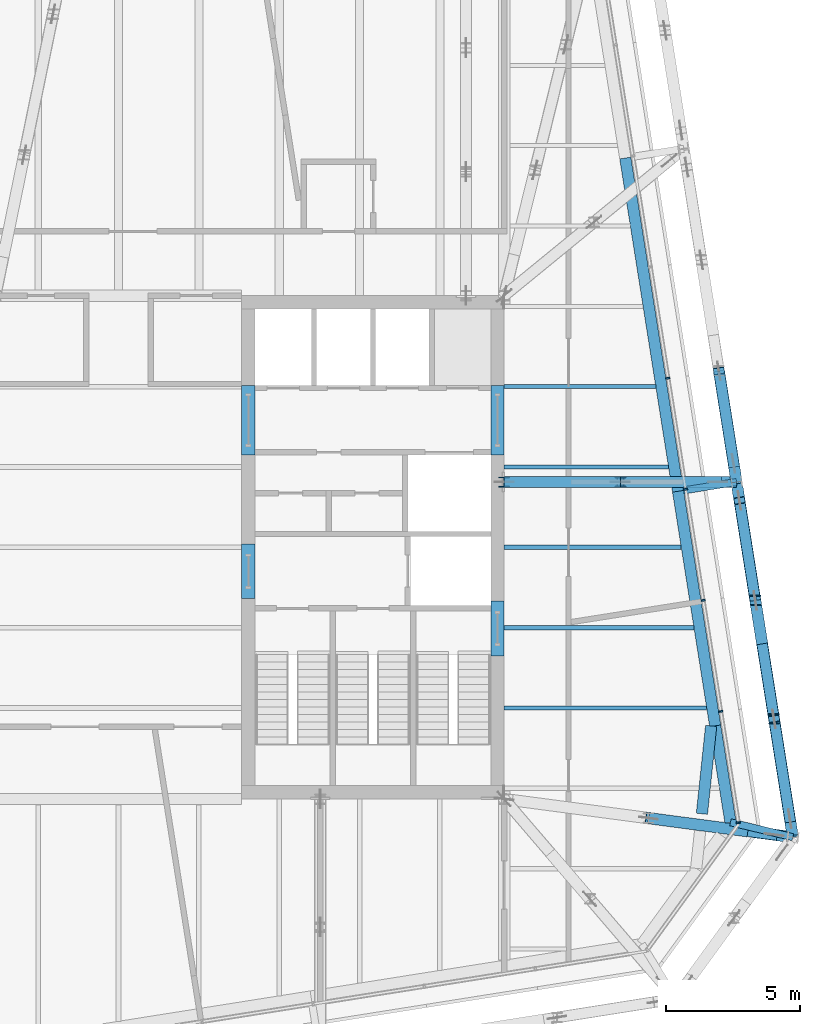
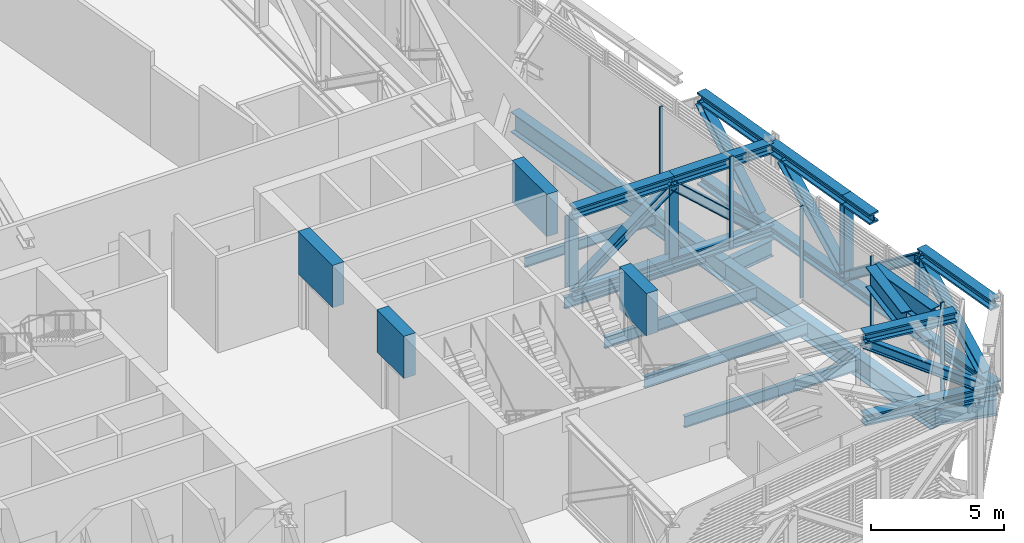
# One storey, part 10 of 32: 29 beams, 16 members, 1 element without a shape of its own.
"""IFC4 building model written with IfcOpenShell, lengths in metres."""

from ifc_helpers import new_model, si_unit, direction, frame, origin, origin_2d, place, context, subcontext, project, spatial, rectangle, i_section, extrude, material, layer, layer_set, material_profile, profile_set, type_object, element, aggregate, save


model = new_model("IFC4")

# Units and contexts
model_context = context("Model", 3, precision=1e-05, world=origin(), true_north=direction((0.0, 1.0)))
body_context = subcontext(model_context, "Body", "Model", "MODEL_VIEW")
ifc_project = project(units=[si_unit("LENGTHUNIT", "METRE"), si_unit("AREAUNIT", "SQUARE_METRE"), si_unit("VOLUMEUNIT", "CUBIC_METRE"), si_unit("PLANEANGLEUNIT", "RADIAN"), si_unit("MASSUNIT", "GRAM", prefix="KILO")], contexts=[model_context])

# Site, building, storey
site_placement = place(None, origin())
site = spatial("IfcSite", under=ifc_project, at=site_placement, CompositionType="ELEMENT")
building_placement = place(site_placement, origin())
building = spatial("IfcBuilding", under=site, at=building_placement, Name="Millrace Tower", CompositionType="ELEMENT")
storey_placement = place(building_placement, frame((0.0, 0.0, 266.89990234375)))
storey = spatial("IfcBuildingStorey", under=building, at=storey_placement, Name="L61", CompositionType="ELEMENT", Elevation=266.89990234375)

# Beams
ifc_material_1 = material(Name="Steel ASTM A992 Grade 50", Category="steel")
ifc_material_profile_1 = material_profile(ifc_material_1, i_section(OverallWidth=0.424072265625, OverallDepth=0.47509765625, WebThickness=0.0478515625, FlangeThickness=0.0771484375, FilletRadius=0.014892578125, at=origin_2d()))
ifc_profile_set_1 = profile_set([ifc_material_profile_1], Name="Steel ASTM A992 Grade 50")
beam_type_1 = type_object("IfcBeamType", Name="Belt truss chord W14x426", PredefinedType="BEAM", material=ifc_profile_set_1)
beam_1_placement = place(storey_placement, frame((25.178466796875, -10.82470703125, 0.237548828125), z_axis=(-0.156424684061, 0.9876898897, 0.0), x_axis=(-0.9876898897, -0.156424684061, 0.0)))
element("IfcBeam", 1, at=beam_1_placement, inside=storey, type_object=beam_type_1, Name="BLT-L61-R06-B01", PredefinedType="BEAM", context=body_context, shape_type="SweptSolid", body=[
    extrude(i_section(OverallWidth=0.424072265625, OverallDepth=0.47509765625, WebThickness=0.0478515625, FlangeThickness=0.0771484375, FilletRadius=0.014892578125, at=origin_2d()), origin(), (0.0, 0.0, 1.0), 4.476318359375),
])
beam_2_placement = place(storey_placement, frame((24.478271484375, -6.403564453125, 0.237548828125), z_axis=(-0.156433111103, 0.987688555037, 0.0), x_axis=(-0.987688555037, -0.156433111103, 0.0)))
element("IfcBeam", 2, at=beam_2_placement, inside=storey, type_object=beam_type_1, Name="BLT-L61-R06-B02", PredefinedType="BEAM", context=body_context, shape_type="SweptSolid", body=[
    extrude(i_section(OverallWidth=0.424072265625, OverallDepth=0.47509765625, WebThickness=0.0478515625, FlangeThickness=0.0771484375, FilletRadius=0.014892578125, at=origin_2d()), origin(), (0.0, 0.0, 1.0), 4.47607421875),
])
beam_3_placement = place(storey_placement, frame((23.778076171875, -1.982666015625, 0.237548828125), z_axis=(-0.156477890206, 0.987681461746, 0.0), x_axis=(-0.987681461746, -0.156477890206, 0.0)))
element("IfcBeam", 3, at=beam_3_placement, inside=storey, type_object=beam_type_1, Name="BLT-L61-R06-B03", PredefinedType="BEAM", context=body_context, shape_type="SweptSolid", body=[
    extrude(i_section(OverallWidth=0.424072265625, OverallDepth=0.47509765625, WebThickness=0.0478515625, FlangeThickness=0.0771484375, FilletRadius=0.014892578125, at=origin_2d()), origin(), (0.0, 0.0, 1.0), 4.476318359375),
])
for number, where, z_axis, x_axis, name in (
    (4, (23.07763671875, 2.4384765625, 0.237548828125), (-0.156428225752, 0.987689328781, 0.0), (-0.987689328781, -0.156428225752, 0.0), "BLT-L61-R07-B01"),
    (5, (23.07763671875, 2.4384765625, 4.002685546875), (-0.156428225752, 0.987689328781, 0.0), (-0.987689328781, -0.156428225752, 0.0), "BLT-L61-R07-T01"),
):
    element("IfcBeam", number, at=place(storey_placement, frame(where, z_axis=z_axis, x_axis=x_axis)), inside=storey, type_object=beam_type_1, Name=name, PredefinedType="BEAM", context=body_context, shape_type="SweptSolid", body=[
        extrude(i_section(OverallWidth=0.424072265625, OverallDepth=0.47509765625, WebThickness=0.0478515625, FlangeThickness=0.0771484375, FilletRadius=0.014892578125, at=origin_2d()), origin(), (0.0, 0.0, 1.0), 4.199951171875),
    ])
beam_4_placement = place(storey_placement, frame((25.168212890625, -10.760009765625, 4.002685546875), z_axis=(-0.156423020229, 0.987690153207, 0.0), x_axis=(-0.987690153207, -0.156423020229, 0.0)))
element("IfcBeam", 6, at=beam_4_placement, inside=storey, type_object=beam_type_1, Name="BLT-L61-R06-T01", PredefinedType="BEAM", context=body_context, shape_type="SweptSolid", body=[
    extrude(i_section(OverallWidth=0.424072265625, OverallDepth=0.47509765625, WebThickness=0.0478515625, FlangeThickness=0.0771484375, FilletRadius=0.014892578125, at=origin_2d()), origin(), (0.0, 0.0, 1.0), 4.41064453125),
])
beam_5_placement = place(storey_placement, frame((23.778076171875, -1.982666015625, 4.002685546875), z_axis=(-0.156477016568, 0.987681600156, 0.0), x_axis=(-0.987681600156, -0.156477016568, 0.0)))
element("IfcBeam", 7, at=beam_5_placement, inside=storey, type_object=beam_type_1, Name="BLT-L61-R06-T03", PredefinedType="BEAM", context=body_context, shape_type="SweptSolid", body=[
    extrude(i_section(OverallWidth=0.424072265625, OverallDepth=0.47509765625, WebThickness=0.0478515625, FlangeThickness=0.0771484375, FilletRadius=0.014892578125, at=origin_2d()), origin(), (0.0, 0.0, 1.0), 4.410888671875),
])
beam_6_placement = place(storey_placement, frame((24.034912109375, -3.604736328125, 4.002685546875), z_axis=(-0.156390056091, 0.987695373258, 0.0), x_axis=(-0.987695373258, -0.156390056091, 0.0)))
element("IfcBeam", 8, at=beam_6_placement, inside=storey, type_object=beam_type_1, Name="BLT-L61-R06-T02-b", PredefinedType="BEAM", context=body_context, shape_type="SweptSolid", body=[
    extrude(i_section(OverallWidth=0.424072265625, OverallDepth=0.47509765625, WebThickness=0.0478515625, FlangeThickness=0.0771484375, FilletRadius=0.014892578125, at=origin_2d()), origin(), (0.0, 0.0, 1.0), 1.642333984375),
])

# Members
ifc_material_2 = material(Name="Steel ASTM A992 Grade 50", Category="steel")
ifc_material_profile_2 = material_profile(ifc_material_2, i_section(OverallWidth=0.398681640625, OverallDepth=0.385986328125, WebThickness=0.02099609375, FlangeThickness=0.033203125, FilletRadius=0.01513671875, at=origin_2d()))
ifc_profile_set_2 = profile_set([ifc_material_profile_2], Name="Steel ASTM A992 Grade 50")
member_type_1 = type_object("IfcMemberType", Name="Belt truss diagonal W14x176", PredefinedType="BRACE", material=ifc_profile_set_2)
member_1_placement = place(storey_placement, frame((25.06884765625, -10.13330078125, 0.47509765625), z_axis=(-0.117917134143, 0.744696179539, 0.6569042165), x_axis=(-0.987694723912, -0.156394157043, 0.0)))
element("IfcMember", 9, at=member_1_placement, inside=storey, type_object=member_type_1, Name="BLT-L61-R06-D01", PredefinedType="BRACE", context=body_context, shape_type="SweptSolid", body=[
    extrude(i_section(OverallWidth=0.398681640625, OverallDepth=0.385986328125, WebThickness=0.02099609375, FlangeThickness=0.033203125, FilletRadius=0.01513671875, at=origin_2d()), origin(), (0.0, 0.0, 1.0), 5.00830078125),
])
member_2_placement = place(storey_placement, frame((23.778076171875, -1.982666015625, 0.47509765625), z_axis=(0.126045823865, -0.795829072017, 0.59225715565), x_axis=(0.987688555037, 0.156433111103, 0.0)))
element("IfcMember", 10, at=member_2_placement, inside=storey, type_object=member_type_1, Name="BLT-L61-R06-D02", PredefinedType="BRACE", context=body_context, shape_type="SweptSolid", body=[
    extrude(i_section(OverallWidth=0.398681640625, OverallDepth=0.385986328125, WebThickness=0.02099609375, FlangeThickness=0.033203125, FilletRadius=0.01513671875, at=origin_2d()), origin(), (0.0, 0.0, 1.0), 5.55517578125),
])
member_3_placement = place(storey_placement, frame((23.778076171875, -1.982666015625, 0.47509765625), z_axis=(-0.117965202171, 0.744691898166, 0.656900439856), x_axis=(-0.987684735163, -0.156457227145, 0.0)))
element("IfcMember", 11, at=member_3_placement, inside=storey, type_object=member_type_1, Name="BLT-L61-R06-D03", PredefinedType="BRACE", context=body_context, shape_type="SweptSolid", body=[
    extrude(i_section(OverallWidth=0.398681640625, OverallDepth=0.385986328125, WebThickness=0.02099609375, FlangeThickness=0.033203125, FilletRadius=0.01513671875, at=origin_2d()), origin(), (0.0, 0.0, 1.0), 5.008544921875),
])
member_4_placement = place(storey_placement, frame((22.96826171875, 3.1298828125, 0.47509765625), z_axis=(-0.114001763677, 0.719639309811, 0.684925442405), x_axis=(-0.987683654859, -0.156464046744, 0.0)))
element("IfcMember", 12, at=member_4_placement, inside=storey, type_object=member_type_1, Name="BLT-L61-R07-D01", PredefinedType="BRACE", context=body_context, shape_type="SweptSolid", body=[
    extrude(i_section(OverallWidth=0.398681640625, OverallDepth=0.385986328125, WebThickness=0.02099609375, FlangeThickness=0.033203125, FilletRadius=0.01513671875, at=origin_2d()), origin(), (0.0, 0.0, 1.0), 4.803466796875),
])
ifc_material_3 = material(Name="Steel ASTM A992 Grade 50", Category="steel")
ifc_material_profile_3 = material_profile(ifc_material_3, i_section(OverallWidth=0.393798828125, OverallDepth=0.3759765625, WebThickness=0.017333984375, FlangeThickness=0.027587890625, FilletRadius=0.01513671875, at=origin_2d()))
ifc_profile_set_3 = profile_set([ifc_material_profile_3], Name="Steel ASTM A992 Grade 50")
member_type_2 = type_object("IfcMemberType", Name="Belt truss post W14x145", PredefinedType="POST", material=ifc_profile_set_3)
for number, where, z_axis, x_axis, name in (
    (13, (24.478271484375, -6.403564453125, 0.47509765625), (0.0, 0.0, 1.0), (1.0, 0.0, 0.0), "BLT-L61-R06-V01"),
    (14, (23.778076171875, -1.982666015625, 0.47509765625), (0.0, 0.0, 1.0), (1.0, 0.0, 0.0), "BLT-L61-R06-V02"),
):
    element("IfcMember", number, at=place(storey_placement, frame(where, z_axis=z_axis, x_axis=x_axis)), inside=storey, type_object=member_type_2, Name=name, PredefinedType="POST", context=body_context, shape_type="SweptSolid", body=[
        extrude(i_section(OverallWidth=0.393798828125, OverallDepth=0.3759765625, WebThickness=0.017333984375, FlangeThickness=0.027587890625, FilletRadius=0.01513671875, at=origin_2d()), origin(), (0.0, 0.0, 1.0), 3.2900390625),
    ])

# Curtain wall, members
ifc_material_4 = material(Name="Aluminium and glass", Category="aluminium")
ifc_layer = layer(ifc_material_4, 0.14990234375)
ifc_layer_set = layer_set([ifc_layer], Name="Aluminium and glass")
curtain_wall_type = type_object("IfcCurtainWallType", Name="CW-5 truss and plant storey louvred infill", PredefinedType="NOTDEFINED", material=ifc_layer_set)
curtain_wall_placement = place(storey_placement, origin())
curtain_wall = element("IfcCurtainWall", 15, at=curtain_wall_placement, inside=storey, type_object=curtain_wall_type, Name="Curtain wall D-F04 L61", PredefinedType="NOTDEFINED")
ifc_material_5 = material(Name="Aluminium", Category="aluminium")
ifc_material_profile_4 = material_profile(ifc_material_5, rectangle(XDim=0.06494140625, YDim=0.14990234375, at=origin_2d()))
ifc_profile_set_4 = profile_set([ifc_material_profile_4], Name="Aluminium")
member_type_3 = type_object("IfcMemberType", Name="CW-5 truss and plant storey louvred infill mullion", PredefinedType="MULLION", material=ifc_profile_set_4)
member_5_placement = place(storey_placement, frame((23.142333984375, -10.275390625, 0.14013671875), z_axis=(0.0, 0.0, 1.0), x_axis=(-0.156434471884, 0.987688339511, 0.0)))
member_5 = element("IfcMember", 16, at=member_5_placement, type_object=member_type_3, Name="CW5 mullion D-F04.1", PredefinedType="MULLION", context=body_context, shape_type="SweptSolid", body=[
    extrude(rectangle(XDim=0.06494140625, YDim=0.14990234375, at=origin_2d()), origin(), (0.0, 0.0, 1.0), 4.35986328125),
])
member_6_placement = place(storey_placement, frame((22.4853515625, -6.127197265625, 0.14013671875), z_axis=(0.0, 0.0, 1.0), x_axis=(-0.156434471884, 0.987688339511, 0.0)))
member_6 = element("IfcMember", 17, at=member_6_placement, type_object=member_type_3, Name="CW5 mullion D-F04.2", PredefinedType="MULLION", context=body_context, shape_type="SweptSolid", body=[
    extrude(rectangle(XDim=0.06494140625, YDim=0.14990234375, at=origin_2d()), origin(), (0.0, 0.0, 1.0), 4.199951171875),
])
member_7_placement = place(storey_placement, frame((21.828369140625, -1.97900390625, 0.14013671875), z_axis=(0.0, 0.0, 1.0), x_axis=(-0.156434471884, 0.987688339511, 0.0)))
member_7 = element("IfcMember", 18, at=member_7_placement, type_object=member_type_3, Name="CW5 mullion D-F04.3", PredefinedType="MULLION", context=body_context, shape_type="SweptSolid", body=[
    extrude(rectangle(XDim=0.06494140625, YDim=0.14990234375, at=origin_2d()), origin(), (0.0, 0.0, 1.0), 4.199951171875),
])
member_8_placement = place(storey_placement, frame((21.17138671875, 2.16943359375, 0.14013671875), z_axis=(0.0, 0.0, 1.0), x_axis=(-0.156434471884, 0.987688339511, 0.0)))
member_8 = element("IfcMember", 19, at=member_8_placement, type_object=member_type_3, Name="CW5 mullion D-F04.4", PredefinedType="MULLION", context=body_context, shape_type="SweptSolid", body=[
    extrude(rectangle(XDim=0.06494140625, YDim=0.14990234375, at=origin_2d()), origin(), (0.0, 0.0, 1.0), 4.199951171875),
])
member_9_placement = place(storey_placement, frame((20.514404296875, 6.317626953125, 0.14013671875), z_axis=(0.0, 0.0, 1.0), x_axis=(-0.156434471884, 0.987688339511, 0.0)))
member_9 = element("IfcMember", 20, at=member_9_placement, type_object=member_type_3, Name="CW5 mullion D-F04.5", PredefinedType="MULLION", context=body_context, shape_type="SweptSolid", body=[
    extrude(rectangle(XDim=0.06494140625, YDim=0.14990234375, at=origin_2d()), origin(), (0.0, 0.0, 1.0), 4.199951171875),
])
aggregate(curtain_wall, [member_5, member_6, member_7, member_8, member_9])

# Beams
ifc_material_6 = material(Name="Concrete C60", Category="concrete")
ifc_material_profile_5 = material_profile(ifc_material_6, rectangle(XDim=0.5, YDim=1.93994140625, at=origin_2d()))
ifc_profile_set_5 = profile_set([ifc_material_profile_5], Name="Concrete C60")
beam_type_2 = type_object("IfcBeamType", Name="Coupling beam 500 x 1940 Concrete C60, 1300 opening", PredefinedType="BEAM", material=ifc_profile_set_5)
beam_7_placement = place(storey_placement, frame((14.14990234375, -2.011474609375, 3.3701171875), z_axis=(0.0, -1.0, 0.0), x_axis=(1.0, 0.0, 0.0)))
element("IfcBeam", 21, at=beam_7_placement, inside=storey, type_object=beam_type_2, Name="Coupling beam E L61", PredefinedType="BEAM", context=body_context, shape_type="SweptSolid", body=[
    extrude(rectangle(XDim=0.5, YDim=1.93994140625, at=origin_2d()), origin(), (0.0, 0.0, 1.0), 2.037109375),
])
beam_8_placement = place(storey_placement, frame((4.85009765625, 0.118408203125, 3.3701171875), z_axis=(0.0, -1.0, 0.0), x_axis=(1.0, 0.0, 0.0)))
element("IfcBeam", 22, at=beam_8_placement, inside=storey, type_object=beam_type_2, Name="Coupling beam E L61", PredefinedType="BEAM", context=body_context, shape_type="SweptSolid", body=[
    extrude(rectangle(XDim=0.5, YDim=1.93994140625, at=origin_2d()), origin(), (0.0, 0.0, 1.0), 2.036865234375),
])
ifc_material_7 = material(Name="Concrete C60", Category="concrete")
ifc_material_profile_6 = material_profile(ifc_material_7, rectangle(XDim=0.5, YDim=1.93994140625, at=origin_2d()))
ifc_profile_set_6 = profile_set([ifc_material_profile_6], Name="Concrete C60")
beam_type_3 = type_object("IfcBeamType", Name="Coupling beam 500 x 1940 Concrete C60, 2000 opening", PredefinedType="BEAM", material=ifc_profile_set_6)
for number, where, z_axis, x_axis, name in (
    (23, (14.14990234375, 6.050048828125, 3.3701171875), (0.0, -1.0, 0.0), (1.0, 0.0, 0.0), "Coupling beam E L61"),
    (24, (4.85009765625, 6.050048828125, 3.3701171875), (0.0, -1.0, 0.0), (1.0, 0.0, 0.0), "Coupling beam E L61"),
):
    element("IfcBeam", number, at=place(storey_placement, frame(where, z_axis=z_axis, x_axis=x_axis)), inside=storey, type_object=beam_type_3, Name=name, PredefinedType="BEAM", context=body_context, shape_type="SweptSolid", body=[
        extrude(rectangle(XDim=0.5, YDim=1.93994140625, at=origin_2d()), origin(), (0.0, 0.0, 1.0), 2.60009765625),
    ])
ifc_material_8 = material(Name="Steel ASTM A992 Grade 50", Category="steel")
ifc_material_profile_7 = material_profile(ifc_material_8, i_section(OverallWidth=0.15234375, OverallDepth=0.449462890625, WebThickness=0.007568359375, FlangeThickness=0.0107421875, FilletRadius=0.01025390625, at=origin_2d()))
ifc_profile_set_7 = profile_set([ifc_material_profile_7], Name="Steel ASTM A992 Grade 50")
beam_type_4 = type_object("IfcBeamType", Name="Floor beam W18x35", PredefinedType="JOIST", material=ifc_profile_set_7)
beam_9_placement = place(storey_placement, frame((14.39990234375, 6.0, -0.474609375), z_axis=(1.0, 0.0, 0.0), x_axis=(0.0, 1.0, 0.0)))
element("IfcBeam", 25, at=beam_9_placement, inside=storey, type_object=beam_type_4, Name="BM-D-L61-S1-S022", PredefinedType="JOIST", context=body_context, shape_type="SweptSolid", body=[
    extrude(i_section(OverallWidth=0.15234375, OverallDepth=0.449462890625, WebThickness=0.007568359375, FlangeThickness=0.0107421875, FilletRadius=0.01025390625, at=origin_2d()), origin(), (0.0, 0.0, 1.0), 5.661865234375),
])
ifc_material_9 = material(Name="Steel ASTM A992 Grade 50", Category="steel")
ifc_material_profile_8 = material_profile(ifc_material_9, i_section(OverallWidth=0.1650390625, OverallDepth=0.52587890625, WebThickness=0.0087890625, FlangeThickness=0.011474609375, FilletRadius=0.0126953125, at=origin_2d()))
ifc_profile_set_8 = profile_set([ifc_material_profile_8], Name="Steel ASTM A992 Grade 50")
beam_type_5 = type_object("IfcBeamType", Name="Floor beam W21x44", PredefinedType="JOIST", material=ifc_profile_set_8)
beam_10_placement = place(storey_placement, frame((14.39990234375, -6.0, -0.5126953125), z_axis=(1.0, 0.0, 0.0), x_axis=(0.0, 1.0, 0.0)))
element("IfcBeam", 26, at=beam_10_placement, inside=storey, type_object=beam_type_5, Name="BM-D-L61-S1-S010", PredefinedType="JOIST", context=body_context, shape_type="SweptSolid", body=[
    extrude(i_section(OverallWidth=0.1650390625, OverallDepth=0.52587890625, WebThickness=0.0087890625, FlangeThickness=0.011474609375, FilletRadius=0.0126953125, at=origin_2d()), origin(), (0.0, 0.0, 1.0), 7.5625),
])
beam_11_placement = place(storey_placement, frame((14.39990234375, -3.0, -0.5126953125), z_axis=(1.0, 0.0, 0.0), x_axis=(0.0, 1.0, 0.0)))
element("IfcBeam", 27, at=beam_11_placement, inside=storey, type_object=beam_type_5, Name="BM-D-L61-S1-S013", PredefinedType="JOIST", context=body_context, shape_type="SweptSolid", body=[
    extrude(i_section(OverallWidth=0.1650390625, OverallDepth=0.52587890625, WebThickness=0.0087890625, FlangeThickness=0.011474609375, FilletRadius=0.0126953125, at=origin_2d()), origin(), (0.0, 0.0, 1.0), 7.08740234375),
])
beam_12_placement = place(storey_placement, frame((14.39990234375, 0.0, -0.5126953125), z_axis=(1.0, 0.0, 0.0), x_axis=(0.0, 1.0, 0.0)))
element("IfcBeam", 28, at=beam_12_placement, inside=storey, type_object=beam_type_5, Name="BM-D-L61-S1-S016", PredefinedType="JOIST", context=body_context, shape_type="SweptSolid", body=[
    extrude(i_section(OverallWidth=0.1650390625, OverallDepth=0.52587890625, WebThickness=0.0087890625, FlangeThickness=0.011474609375, FilletRadius=0.0126953125, at=origin_2d()), origin(), (0.0, 0.0, 1.0), 6.6123046875),
])
beam_13_placement = place(storey_placement, frame((14.39990234375, 3.0, -0.5126953125), z_axis=(1.0, 0.0, 0.0), x_axis=(0.0, 1.0, 0.0)))
element("IfcBeam", 29, at=beam_13_placement, inside=storey, type_object=beam_type_5, Name="BM-D-L61-S1-S019", PredefinedType="JOIST", context=body_context, shape_type="SweptSolid", body=[
    extrude(i_section(OverallWidth=0.1650390625, OverallDepth=0.52587890625, WebThickness=0.0087890625, FlangeThickness=0.011474609375, FilletRadius=0.0126953125, at=origin_2d()), origin(), (0.0, 0.0, 1.0), 6.136962890625),
])
ifc_material_10 = material(Name="Steel ASTM A992 Grade 50", Category="steel")
ifc_material_profile_9 = material_profile(ifc_material_10, i_section(OverallWidth=0.2666015625, OverallDepth=0.7568359375, WebThickness=0.013916015625, FlangeThickness=0.019287109375, FilletRadius=0.0166015625, at=origin_2d()))
ifc_profile_set_9 = profile_set([ifc_material_profile_9], Name="Steel ASTM A992 Grade 50")
beam_type_6 = type_object("IfcBeamType", Name="Link beam W30x108", PredefinedType="BEAM", material=ifc_profile_set_9)
beam_14_placement = place(storey_placement, frame((21.102294921875, 2.12548828125, -0.62841796875), z_axis=(0.987678691416, 0.156495375404, 0.0), x_axis=(-0.156495375404, 0.987678691416, 0.0)))
element("IfcBeam", 30, at=beam_14_placement, inside=storey, type_object=beam_type_6, Name="LNK-D-L61-S1-11", PredefinedType="BEAM", context=body_context, shape_type="SweptSolid", body=[
    extrude(i_section(OverallWidth=0.2666015625, OverallDepth=0.7568359375, WebThickness=0.013916015625, FlangeThickness=0.019287109375, FilletRadius=0.0166015625, at=origin_2d()), origin(), (0.0, 0.0, 1.0), 2.0),
])
beam_15_placement = place(storey_placement, frame((22.8515625, -10.26611328125, -0.62841796875), z_axis=(0.97237433547, -0.233426972989, 0.0), x_axis=(0.233426972989, 0.97237433547, 0.0)))
element("IfcBeam", 31, at=beam_15_placement, inside=storey, type_object=beam_type_6, Name="LNK-D-L61-S1-12", PredefinedType="BEAM", context=body_context, shape_type="SweptSolid", body=[
    extrude(i_section(OverallWidth=0.2666015625, OverallDepth=0.7568359375, WebThickness=0.013916015625, FlangeThickness=0.019287109375, FilletRadius=0.0166015625, at=origin_2d()), origin(), (0.0, 0.0, 1.0), 2.39306640625),
])
ifc_material_11 = material(Name="Steel ASTM A992 Grade 50", Category="steel")
ifc_material_profile_10 = material_profile(ifc_material_11, i_section(OverallWidth=0.424072265625, OverallDepth=0.47509765625, WebThickness=0.0478515625, FlangeThickness=0.0771484375, FilletRadius=0.014892578125, at=origin_2d()))
ifc_profile_set_10 = profile_set([ifc_material_profile_10], Name="Steel ASTM A992 Grade 50")
beam_type_7 = type_object("IfcBeamType", Name="Outrigger truss chord W14x426", PredefinedType="BEAM", material=ifc_profile_set_10)
beam_16_placement = place(storey_placement, frame((19.789306640625, -10.1123046875, 0.237548828125), z_axis=(0.991375543589, -0.131051637048, 0.0), x_axis=(0.131051637048, 0.991375543589, 0.0)))
element("IfcBeam", 32, at=beam_16_placement, inside=storey, type_object=beam_type_7, Name="BLT-L61-O06-B02", PredefinedType="BEAM", context=body_context, shape_type="SweptSolid", body=[
    extrude(i_section(OverallWidth=0.424072265625, OverallDepth=0.47509765625, WebThickness=0.0478515625, FlangeThickness=0.0771484375, FilletRadius=0.014892578125, at=origin_2d()), origin(), (0.0, 0.0, 1.0), 5.43603515625),
])
for number, where, z_axis, x_axis, name in (
    (33, (14.39990234375, 2.4384765625, 0.237548828125), (1.0, 0.0, 0.0), (0.0, 1.0, 0.0), "BLT-L61-O07-B01"),
    (34, (14.39990234375, 2.4384765625, 4.002685546875), (1.0, 0.0, 0.0), (0.0, 1.0, 0.0), "BLT-L61-O07-T01"),
    (35, (18.73876953125, 2.4384765625, 0.237548828125), (1.0, 0.0, 0.0), (0.0, 1.0, 0.0), "BLT-L61-O07-B02"),
    (36, (18.73876953125, 2.4384765625, 4.002685546875), (1.0, 0.0, 0.0), (0.0, 1.0, 0.0), "BLT-L61-O07-T02"),
):
    element("IfcBeam", number, at=place(storey_placement, frame(where, z_axis=z_axis, x_axis=x_axis)), inside=storey, type_object=beam_type_7, Name=name, PredefinedType="BEAM", context=body_context, shape_type="SweptSolid", body=[
        extrude(i_section(OverallWidth=0.424072265625, OverallDepth=0.47509765625, WebThickness=0.0478515625, FlangeThickness=0.0771484375, FilletRadius=0.014892578125, at=origin_2d()), origin(), (0.0, 0.0, 1.0), 4.3388671875),
    ])
beam_17_placement = place(storey_placement, frame((19.789306640625, -10.1123046875, 4.002685546875), z_axis=(0.991378839253, -0.131026703694, 0.0), x_axis=(0.131026703694, 0.991378839253, 0.0)))
element("IfcBeam", 37, at=beam_17_placement, inside=storey, type_object=beam_type_7, Name="BLT-L61-O06-T02", PredefinedType="BEAM", context=body_context, shape_type="SweptSolid", body=[
    extrude(i_section(OverallWidth=0.424072265625, OverallDepth=0.47509765625, WebThickness=0.0478515625, FlangeThickness=0.0771484375, FilletRadius=0.014892578125, at=origin_2d()), origin(), (0.0, 0.0, 1.0), 3.741455078125),
])

# Members
ifc_material_12 = material(Name="Steel ASTM A992 Grade 50", Category="steel")
ifc_material_profile_11 = material_profile(ifc_material_12, i_section(OverallWidth=0.398681640625, OverallDepth=0.385986328125, WebThickness=0.02099609375, FlangeThickness=0.033203125, FilletRadius=0.01513671875, at=origin_2d()))
ifc_profile_set_11 = profile_set([ifc_material_profile_11], Name="Steel ASTM A992 Grade 50")
member_type_4 = type_object("IfcMemberType", Name="Outrigger truss diagonal W14x176", PredefinedType="BRACE", material=ifc_profile_set_11)
member_10_placement = place(storey_placement, frame((24.484375, -10.73291015625, 0.47509765625), z_axis=(-0.814189243408, 0.107621499493, 0.570537894242), x_axis=(-0.131042570758, -0.991376742036, 0.0)))
element("IfcMember", 38, at=member_10_placement, inside=storey, type_object=member_type_4, Name="BLT-L61-O06-D02", PredefinedType="BRACE", context=body_context, shape_type="SweptSolid", body=[
    extrude(i_section(OverallWidth=0.398681640625, OverallDepth=0.385986328125, WebThickness=0.02099609375, FlangeThickness=0.033203125, FilletRadius=0.01513671875, at=origin_2d()), origin(), (0.0, 0.0, 1.0), 5.7666015625),
])
member_11_placement = place(storey_placement, frame((14.39990234375, 2.4384765625, 0.47509765625), z_axis=(0.79682525172, 0.0, 0.60420982963), x_axis=(0.0, 1.0, 0.0)))
element("IfcMember", 39, at=member_11_placement, inside=storey, type_object=member_type_4, Name="BLT-L61-O07-D01", PredefinedType="BRACE", context=body_context, shape_type="SweptSolid", body=[
    extrude(i_section(OverallWidth=0.398681640625, OverallDepth=0.385986328125, WebThickness=0.02099609375, FlangeThickness=0.033203125, FilletRadius=0.01513671875, at=origin_2d()), origin(), (0.0, 0.0, 1.0), 5.4453125),
])
member_12_placement = place(storey_placement, frame((22.377685546875, 2.4384765625, 0.47509765625), z_axis=(-0.741770356359, 0.0, 0.670653963253), x_axis=(0.0, -1.0, 0.0)))
element("IfcMember", 40, at=member_12_placement, inside=storey, type_object=member_type_4, Name="BLT-L61-O07-D02", PredefinedType="BRACE", context=body_context, shape_type="SweptSolid", body=[
    extrude(i_section(OverallWidth=0.398681640625, OverallDepth=0.385986328125, WebThickness=0.02099609375, FlangeThickness=0.033203125, FilletRadius=0.01513671875, at=origin_2d()), origin(), (0.0, 0.0, 1.0), 4.90576171875),
])
ifc_material_13 = material(Name="Steel ASTM A992 Grade 50", Category="steel")
ifc_material_profile_12 = material_profile(ifc_material_13, i_section(OverallWidth=0.393798828125, OverallDepth=0.3759765625, WebThickness=0.017333984375, FlangeThickness=0.027587890625, FilletRadius=0.01513671875, at=origin_2d()))
ifc_profile_set_12 = profile_set([ifc_material_profile_12], Name="Steel ASTM A992 Grade 50")
member_type_5 = type_object("IfcMemberType", Name="Outrigger truss post W14x145", PredefinedType="POST", material=ifc_profile_set_12)
for number, where, z_axis, x_axis, name in (
    (41, (14.39990234375, 2.4384765625, 0.47509765625), (0.0, 0.0, 1.0), (1.0, 0.0, 0.0), "BLT-L61-O07-V00"),
    (42, (18.73876953125, 2.4384765625, 0.47509765625), (0.0, 0.0, 1.0), (1.0, 0.0, 0.0), "BLT-L61-O07-V01"),
):
    element("IfcMember", number, at=place(storey_placement, frame(where, z_axis=z_axis, x_axis=x_axis)), inside=storey, type_object=member_type_5, Name=name, PredefinedType="POST", context=body_context, shape_type="SweptSolid", body=[
        extrude(i_section(OverallWidth=0.393798828125, OverallDepth=0.3759765625, WebThickness=0.017333984375, FlangeThickness=0.027587890625, FilletRadius=0.01513671875, at=origin_2d()), origin(), (0.0, 0.0, 1.0), 3.2900390625),
    ])

# Beams
ifc_material_14 = material(Name="Steel ASTM A992 Grade 50", Category="steel")
ifc_material_profile_13 = material_profile(ifc_material_14, i_section(OverallWidth=0.421630859375, OverallDepth=0.937255859375, WebThickness=0.021240234375, FlangeThickness=0.03662109375, FilletRadius=0.024169921875, at=origin_2d()))
ifc_profile_set_13 = profile_set([ifc_material_profile_13], Name="Steel ASTM A992 Grade 50")
beam_type_8 = type_object("IfcBeamType", Name="Ring beam medium span W36x262", PredefinedType="SPANDREL", material=ifc_profile_set_13)
beam_18_placement = place(storey_placement, frame((18.923095703125, 14.537353515625, -0.718505859375), z_axis=(0.156425232058, -0.987689802912, 0.0), x_axis=(0.987689802912, 0.156425232058, 0.0)))
element("IfcBeam", 43, at=beam_18_placement, inside=storey, type_object=beam_type_8, Name="RNG-D-L61-S1-10", PredefinedType="SPANDREL", context=body_context, shape_type="SweptSolid", body=[
    extrude(i_section(OverallWidth=0.421630859375, OverallDepth=0.937255859375, WebThickness=0.021240234375, FlangeThickness=0.03662109375, FilletRadius=0.024169921875, at=origin_2d()), origin(), (0.0, 0.0, 1.0), 12.599853515625),
])
beam_19_placement = place(storey_placement, frame((20.89404296875, 2.092529296875, -0.718505859375), z_axis=(0.156442483009, -0.98768707064, 0.0), x_axis=(0.98768707064, 0.156442483009, 0.0)))
element("IfcBeam", 44, at=beam_19_placement, inside=storey, type_object=beam_type_8, Name="RNG-D-L61-S1-11", PredefinedType="SPANDREL", context=body_context, shape_type="SweptSolid", body=[
    extrude(i_section(OverallWidth=0.421630859375, OverallDepth=0.937255859375, WebThickness=0.021240234375, FlangeThickness=0.03662109375, FilletRadius=0.024169921875, at=origin_2d()), origin(), (0.0, 0.0, 1.0), 12.5126953125),
])
ifc_material_15 = material(Name="Steel ASTM A992 Grade 50", Category="steel")
ifc_material_profile_14 = material_profile(ifc_material_15, i_section(OverallWidth=0.421630859375, OverallDepth=0.937255859375, WebThickness=0.021240234375, FlangeThickness=0.03662109375, FilletRadius=0.024169921875, at=origin_2d()))
ifc_profile_set_14 = profile_set([ifc_material_profile_14], Name="Steel ASTM A992 Grade 50")
beam_type_9 = type_object("IfcBeamType", Name="Ring beam short span W36x262", PredefinedType="SPANDREL", material=ifc_profile_set_14)
beam_20_placement = place(storey_placement, frame((22.281005859375, -6.66455078125, 3.87158203125), z_axis=(0.156467953831, -0.98768303591, 0.0), x_axis=(0.98768303591, 0.156467953831, 0.0)))
element("IfcBeam", 45, at=beam_20_placement, inside=storey, type_object=beam_type_9, Name="RNG-D-L61-R4-03", PredefinedType="SPANDREL", context=body_context, shape_type="SweptSolid", body=[
    extrude(i_section(OverallWidth=0.421630859375, OverallDepth=0.937255859375, WebThickness=0.021240234375, FlangeThickness=0.03662109375, FilletRadius=0.024169921875, at=origin_2d()), origin(), (0.0, 0.0, 1.0), 3.646484375),
])
beam_21_placement = place(storey_placement, frame((21.784423828125, -9.949462890625, 3.87158203125), z_axis=(0.104492172124, 0.994525709052, 0.0), x_axis=(-0.994525709052, 0.104492172124, 0.0)))
element("IfcBeam", 46, at=beam_21_placement, inside=storey, type_object=beam_type_9, Name="RNG-D-L61-R4-02-b", PredefinedType="SPANDREL", context=body_context, shape_type="SweptSolid", body=[
    extrude(i_section(OverallWidth=0.421630859375, OverallDepth=0.937255859375, WebThickness=0.021240234375, FlangeThickness=0.03662109375, FilletRadius=0.024169921875, at=origin_2d()), origin(), (0.0, 0.0, 1.0), 3.299072265625),
])

save(model, "model.ifc")
